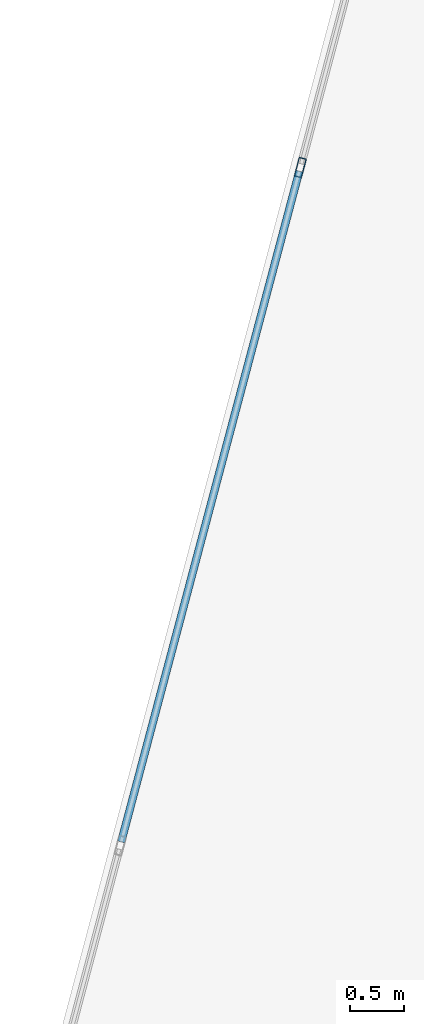
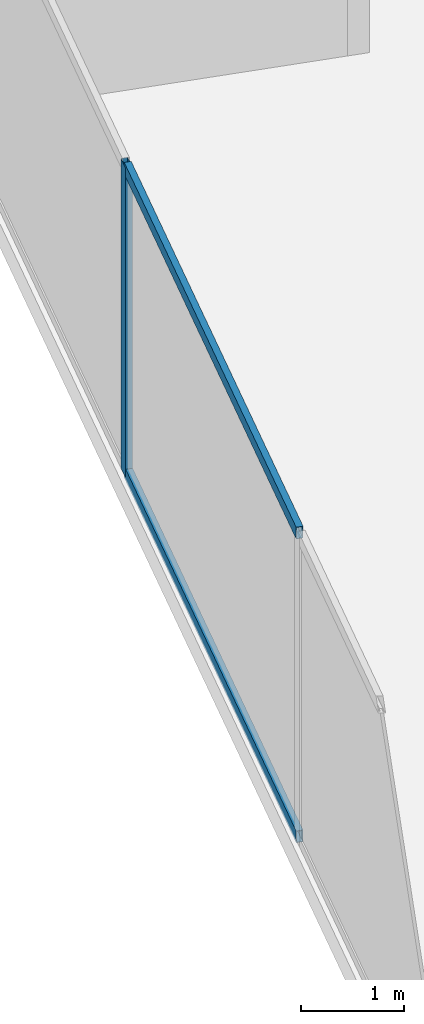
# One storey, part 15 of 27: 3 members, 1 element without a shape of its own.
"""IFC4 building model written with IfcOpenShell, lengths in metres."""

from ifc_helpers import new_model, si_unit, direction, frame, origin, origin_2d, place, context, subcontext, project, spatial, hollow_rectangle, extrude, source, transform, mapped, material, material_profile, profile_set, type_object, type_shapes, element, aggregate, save


model = new_model("IFC4")

# Units and contexts
model_context = context("Model", 3, precision=1e-05, world=origin(), true_north=direction((0.0, 1.0)))
body_context = subcontext(model_context, "Body", "Model", "MODEL_VIEW")
ifc_project = project(units=[si_unit("LENGTHUNIT", "METRE"), si_unit("AREAUNIT", "SQUARE_METRE"), si_unit("VOLUMEUNIT", "CUBIC_METRE"), si_unit("PLANEANGLEUNIT", "RADIAN"), si_unit("MASSUNIT", "GRAM", prefix="KILO")], contexts=[model_context])

# Site, building, storey
site_placement = place(None, origin())
site = spatial("IfcSite", under=ifc_project, at=site_placement, CompositionType="ELEMENT")
building_placement = place(site_placement, origin())
building = spatial("IfcBuilding", under=site, at=building_placement, Name="Krantzveldt Concourse Tower", CompositionType="ELEMENT")
storey_placement = place(building_placement, frame((0.0, 0.0, 101.89990234375)))
storey = spatial("IfcBuildingStorey", under=building, at=storey_placement, Name="L24", CompositionType="ELEMENT", Elevation=101.89990234375)

# Curtain wall, members
ifc_material = material(Name="Anodised aluminium 6063-T6", Category="aluminium")
curtain_wall_type = type_object("IfcCurtainWallType", Name="CW2", PredefinedType="USERDEFINED", material=ifc_material)
curtain_wall_placement = place(storey_placement, origin())
curtain_wall = element("IfcCurtainWall", 1, at=curtain_wall_placement, inside=storey, type_object=curtain_wall_type, Name="CW-L24-F01", ObjectType="UNITISED CURTAIN WALL", PredefinedType="USERDEFINED")
ifc_material_profile_1 = material_profile(ifc_material, hollow_rectangle(XDim=0.070068359375, YDim=0.179931640625, WallThickness=0.0048828125, at=origin_2d()), Name="Anodised aluminium 6063-T6", Category="aluminium")
ifc_profile_set_1 = profile_set([ifc_material_profile_1], Name="Anodised aluminium 6063-T6 - ALU-MULL 180x70x5")
member_type_1 = type_object("IfcMemberType", Name="CW-MUL-180", PredefinedType="MULLION", material=ifc_profile_set_1)
shared_shape_1 = source(origin(), body_context, "Body", "SweptSolid", [
    extrude(hollow_rectangle(XDim=0.070068359375, YDim=0.179931640625, WallThickness=0.0048828125, at=origin_2d()), origin(), (0.0, 0.0, 1.0), 3.670166015625),
])
type_shapes(member_type_1, [shared_shape_1])
member_1_placement = place(storey_placement, frame((16.791259765625, 45.183837890625, 0.0), z_axis=(0.0, 0.0, 1.0), x_axis=(0.966488186373, -0.256711093648, 0.0)))
member_1 = element("IfcMember", 2, at=member_1_placement, type_object=member_type_1, Name="CW-Z12 mullion 2", PredefinedType="MULLION", context=body_context, shape_type="MappedRepresentation", body=[
    mapped(shared_shape_1, transform((0.0, 0.0, 0.0), x_axis=(1.0, 0.0, 0.0), y_axis=(0.0, 1.0, 0.0), z_axis=(0.0, 0.0, 1.0), scale=1.0)),
])
ifc_material_profile_2 = material_profile(ifc_material, hollow_rectangle(XDim=0.070068359375, YDim=0.139892578125, WallThickness=0.0048828125, at=origin_2d()), Name="Anodised aluminium 6063-T6", Category="aluminium")
ifc_profile_set_2 = profile_set([ifc_material_profile_2], Name="Anodised aluminium 6063-T6 - ALU-TRAN 140x70x5")
member_type_2 = type_object("IfcMemberType", Name="CW-TRN-150", PredefinedType="USERDEFINED", material=ifc_profile_set_2)
shared_shape_2 = source(origin(), body_context, "Body", "SweptSolid", [
    extrude(hollow_rectangle(XDim=0.070068359375, YDim=0.139892578125, WallThickness=0.0048828125, at=origin_2d()), origin(), (0.0, 0.0, 1.0), 6.396728515625),
])
type_shapes(member_type_2, [shared_shape_2])
member_2_placement = place(storey_placement, frame((16.7822265625, 45.150146484375, 0.03515625), z_axis=(-0.256707571528, -0.966489121884, 0.0), x_axis=(0.966489121884, -0.256707571528, 0.0)))
member_2 = element("IfcMember", 3, at=member_2_placement, type_object=member_type_2, Name="CW-Z12 transom 2.1", ObjectType="TRANSOM", PredefinedType="USERDEFINED", context=body_context, shape_type="MappedRepresentation", body=[
    mapped(shared_shape_2, transform((0.0, 0.0, 0.0), x_axis=(1.0, 0.0, 0.0), y_axis=(0.0, 1.0, 0.0), z_axis=(0.0, 0.0, 1.0), scale=1.0)),
])
member_3_placement = place(storey_placement, frame((16.7822265625, 45.150146484375, 3.635009765625), z_axis=(-0.256707571528, -0.966489121884, 0.0), x_axis=(0.966489121884, -0.256707571528, 0.0)))
member_3 = element("IfcMember", 4, at=member_3_placement, type_object=member_type_2, Name="CW-Z12 transom 2.2", ObjectType="TRANSOM", PredefinedType="USERDEFINED", context=body_context, shape_type="MappedRepresentation", body=[
    mapped(shared_shape_2, transform((0.0, 0.0, 0.0), x_axis=(1.0, 0.0, 0.0), y_axis=(0.0, 1.0, 0.0), z_axis=(0.0, 0.0, 1.0), scale=1.0)),
])
aggregate(curtain_wall, [member_1, member_2, member_3])

save(model, "model.ifc")
